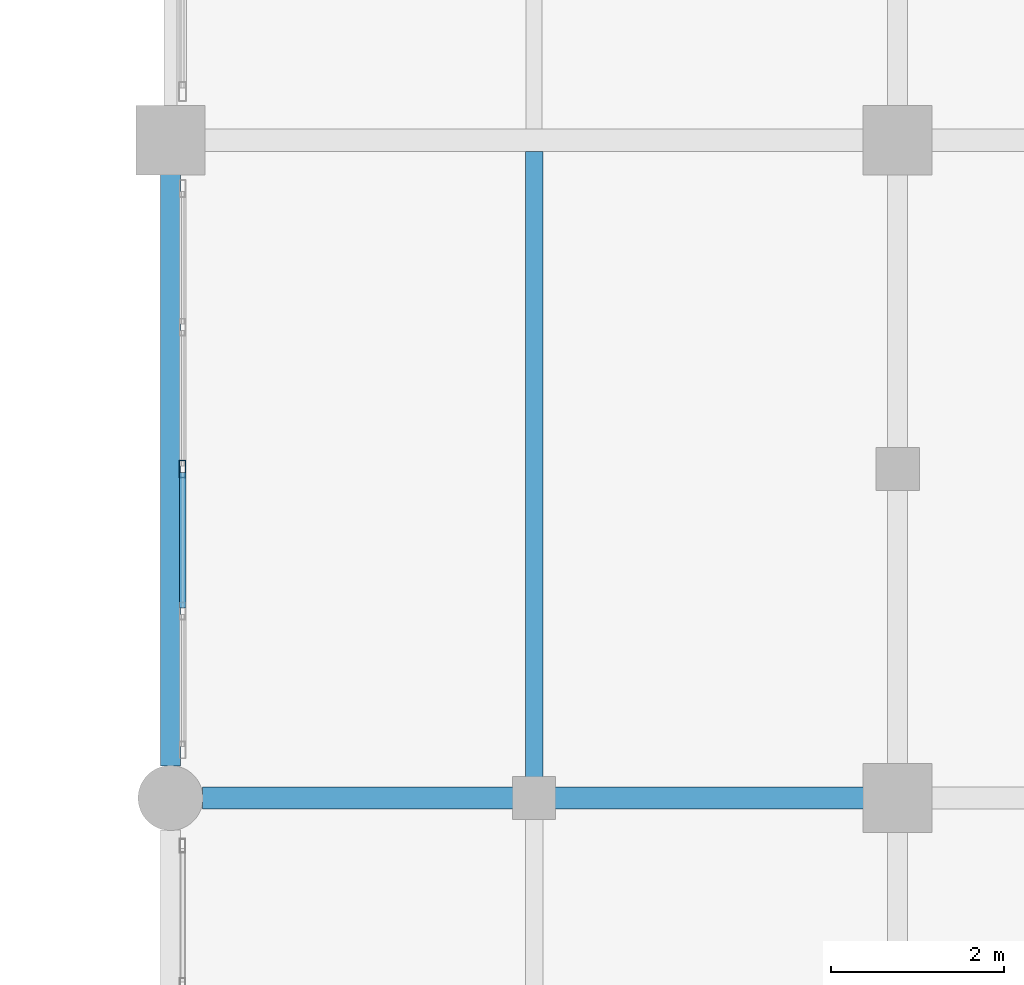
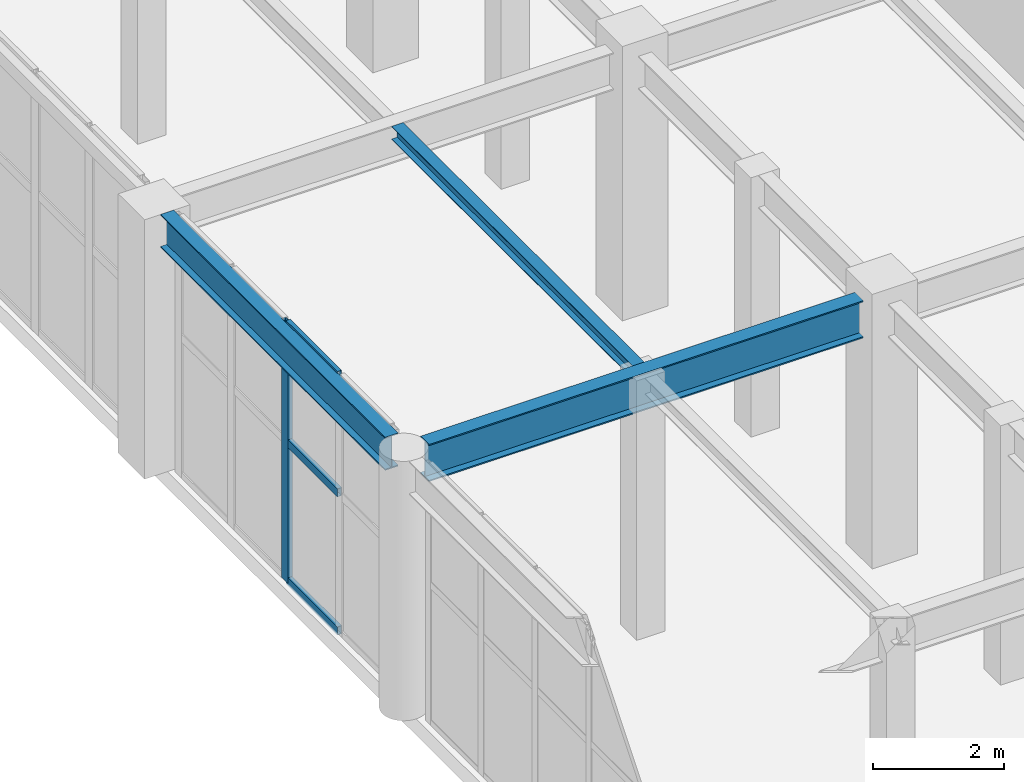
# One storey, part 32 of 128: 4 members, 3 beams, 1 element without a shape of its own.
"""IFC4 building model written with IfcOpenShell, lengths in metres."""

from ifc_helpers import new_model, si_unit, direction, frame, origin, origin_2d, place, context, subcontext, project, spatial, hollow_rectangle, i_section, extrude, material, layer, layer_set, material_profile, profile_set, type_object, element, aggregate, save


model = new_model("IFC4")

# Units and contexts
model_context = context("Model", 3, precision=1e-05, world=origin(), true_north=direction((0.0, 1.0)))
body_context = subcontext(model_context, "Body", "Model", "MODEL_VIEW")
ifc_project = project(units=[si_unit("LENGTHUNIT", "METRE"), si_unit("AREAUNIT", "SQUARE_METRE"), si_unit("VOLUMEUNIT", "CUBIC_METRE"), si_unit("PLANEANGLEUNIT", "RADIAN"), si_unit("MASSUNIT", "GRAM", prefix="KILO")], contexts=[model_context])

# Site, building, storey
site_placement = place(None, origin())
site = spatial("IfcSite", under=ifc_project, at=site_placement, CompositionType="ELEMENT")
building_placement = place(site_placement, origin())
building = spatial("IfcBuilding", under=site, at=building_placement, Name="Xicomal Pleat Aquarium", CompositionType="ELEMENT")
storey_placement = place(building_placement, frame((0.0, 0.0, 5.39990234375)))
storey = spatial("IfcBuildingStorey", under=building, at=storey_placement, Name="L02", CompositionType="ELEMENT", Elevation=5.39990234375)

# Beams
ifc_material_1 = material(Name="Structural steel A992 Gr 50", Category="steel")
ifc_material_profile_1 = material_profile(ifc_material_1, i_section(OverallWidth=0.201904296875, OverallDepth=0.2470703125, WebThickness=0.00732421875, FlangeThickness=0.010986328125, at=origin_2d()), Name="IR 250x49")
ifc_profile_set_1 = profile_set([ifc_material_profile_1], Name="Structural steel A992 Gr 50")
beam_type_1 = type_object("IfcBeamType", Name="BM-STL-IR250", PredefinedType="JOIST", material=ifc_profile_set_1)
beam_1_placement = place(storey_placement, frame((48.0, 60.930908203125, 4.696533203125), z_axis=(0.0, 1.0, 0.0), x_axis=(-1.0, 0.0, 0.0)))
element("IfcBeam", 1, at=beam_1_placement, inside=storey, type_object=beam_type_1, Name="L02 framing beam FBJ-L02-06-J-1", PredefinedType="JOIST", context=body_context, shape_type="SweptSolid", body=[
    extrude(i_section(OverallWidth=0.201904296875, OverallDepth=0.2470703125, WebThickness=0.00732421875, FlangeThickness=0.010986328125, at=origin_2d()), origin(), (0.0, 0.0, 1.0), 7.338134765625),
])
ifc_material_2 = material(Name="Structural steel A992 Gr 50", Category="steel")
ifc_material_profile_2 = material_profile(ifc_material_2, i_section(OverallWidth=0.22998046875, OverallDepth=0.616943359375, WebThickness=0.01318359375, FlangeThickness=0.022216796875, at=origin_2d()), Name="IR 610x140")
ifc_profile_set_2 = profile_set([ifc_material_profile_2], Name="Structural steel A992 Gr 50")
beam_type_2 = type_object("IfcBeamType", Name="BM-STL-IR610", PredefinedType="BEAM", material=ifc_profile_set_2)
beam_2_placement = place(storey_placement, frame((43.800048828125, 61.169921875, 4.51171875), z_axis=(0.0, 1.0, 0.0), x_axis=(-1.0, 0.0, 0.0)))
element("IfcBeam", 2, at=beam_2_placement, inside=storey, type_object=beam_type_2, Name="L02 framing beam FGY-L02-06-J-K", PredefinedType="BEAM", context=body_context, shape_type="SweptSolid", body=[
    extrude(i_section(OverallWidth=0.22998046875, OverallDepth=0.616943359375, WebThickness=0.01318359375, FlangeThickness=0.022216796875, at=origin_2d()), origin(), (0.0, 0.0, 1.0), 6.8349609375),
])
ifc_material_3 = material(Name="Structural steel A992 Gr 50", Category="steel")
ifc_material_profile_3 = material_profile(ifc_material_3, i_section(OverallWidth=0.256103515625, OverallDepth=0.693115234375, WebThickness=0.014404296875, FlangeThickness=0.023681640625, at=origin_2d()), Name="IR 690x170")
ifc_profile_set_3 = profile_set([ifc_material_profile_3], Name="Structural steel A992 Gr 50")
beam_type_3 = type_object("IfcBeamType", Name="BM-STL-IR690", PredefinedType="BEAM", material=ifc_profile_set_3)
beam_3_placement = place(storey_placement, frame((44.169921875, 60.800048828125, 4.4736328125), z_axis=(1.0, 0.0, 0.0), x_axis=(0.0, 1.0, 0.0)))
element("IfcBeam", 3, at=beam_3_placement, inside=storey, type_object=beam_type_3, Name="L02 framing beam FGX-L02-06-07-J", PredefinedType="BEAM", context=body_context, shape_type="SweptSolid", body=[
    extrude(i_section(OverallWidth=0.256103515625, OverallDepth=0.693115234375, WebThickness=0.014404296875, FlangeThickness=0.023681640625, at=origin_2d()), origin(), (0.0, 0.0, 1.0), 7.635009765625),
])

# Curtain wall, members
ifc_material_4 = material(Name="Bronze anodized aluminium 6063-T6", Category="aluminium")
ifc_layer = layer(ifc_material_4, 0.159912109375)
ifc_layer_set = layer_set([ifc_layer], Name="Bronze anodized aluminium 6063-T6")
curtain_wall_type = type_object("IfcCurtainWallType", Name="CW-SYS-07", PredefinedType="NOTDEFINED", material=ifc_layer_set)
curtain_wall_placement = place(storey_placement, origin())
curtain_wall = element("IfcCurtainWall", 4, at=curtain_wall_placement, inside=storey, type_object=curtain_wall_type, Name="L02 unitised curtain wall CW-L02-100", PredefinedType="NOTDEFINED")
ifc_material_5 = material(Name="Bronze anodized aluminium 6063-T6", Category="aluminium")
ifc_material_profile_4 = material_profile(ifc_material_5, hollow_rectangle(XDim=0.074951171875, YDim=0.199951171875, WallThickness=0.00439453125, at=origin_2d()), Name="ALU MULL 75x200")
ifc_profile_set_4 = profile_set([ifc_material_profile_4], Name="Bronze anodized aluminium 6063-T6")
member_type_1 = type_object("IfcMemberType", Name="CWM-75x200", PredefinedType="MULLION", material=ifc_profile_set_4)
member_1_placement = place(storey_placement, frame((43.93994140625, 64.60009765625, 0.0), z_axis=(0.0, 0.0, 1.0), x_axis=(-1.0, 0.0, 0.0)))
member_1 = element("IfcMember", 5, at=member_1_placement, type_object=member_type_1, Name="CW-07 mullion 3", PredefinedType="MULLION", context=body_context, shape_type="SweptSolid", body=[
    extrude(hollow_rectangle(XDim=0.074951171875, YDim=0.199951171875, WallThickness=0.00439453125, at=origin_2d()), origin(), (0.0, 0.0, 1.0), 4.820068359375),
])
ifc_material_6 = material(Name="Bronze anodized aluminium 6063-T6", Category="aluminium")
ifc_material_profile_5 = material_profile(ifc_material_6, hollow_rectangle(XDim=0.074951171875, YDim=0.14990234375, WallThickness=0.00439453125, at=origin_2d()), Name="ALU TRAN 75x150")
ifc_profile_set_5 = profile_set([ifc_material_profile_5], Name="Bronze anodized aluminium 6063-T6")
member_type_2 = type_object("IfcMemberType", Name="CWT-75x150", PredefinedType="USERDEFINED", material=ifc_profile_set_5)
member_2_placement = place(storey_placement, frame((43.93994140625, 62.99755859375, 0.03759765625), z_axis=(0.0, 1.0, 0.0), x_axis=(-1.0, 0.0, 0.0)))
member_2 = element("IfcMember", 6, at=member_2_placement, type_object=member_type_2, Name="CW-07 transom 2.1", ObjectType="TRANSOM", PredefinedType="USERDEFINED", context=body_context, shape_type="SweptSolid", body=[
    extrude(hollow_rectangle(XDim=0.074951171875, YDim=0.14990234375, WallThickness=0.00439453125, at=origin_2d()), origin(), (0.0, 0.0, 1.0), 1.56494140625),
])
member_3_placement = place(storey_placement, frame((43.93994140625, 62.99755859375, 2.60302734375), z_axis=(0.0, 1.0, 0.0), x_axis=(-1.0, 0.0, 0.0)))
member_3 = element("IfcMember", 7, at=member_3_placement, type_object=member_type_2, Name="CW-07 transom 2.2", ObjectType="TRANSOM", PredefinedType="USERDEFINED", context=body_context, shape_type="SweptSolid", body=[
    extrude(hollow_rectangle(XDim=0.074951171875, YDim=0.14990234375, WallThickness=0.00439453125, at=origin_2d()), origin(), (0.0, 0.0, 1.0), 1.56494140625),
])
member_4_placement = place(storey_placement, frame((43.93994140625, 62.99755859375, 4.78271484375), z_axis=(0.0, 1.0, 0.0), x_axis=(-1.0, 0.0, 0.0)))
member_4 = element("IfcMember", 8, at=member_4_placement, type_object=member_type_2, Name="CW-07 transom 2.3", ObjectType="TRANSOM", PredefinedType="USERDEFINED", context=body_context, shape_type="SweptSolid", body=[
    extrude(hollow_rectangle(XDim=0.074951171875, YDim=0.14990234375, WallThickness=0.00439453125, at=origin_2d()), origin(), (0.0, 0.0, 1.0), 1.56494140625),
])
aggregate(curtain_wall, [member_1, member_2, member_3, member_4])

save(model, "model.ifc")
